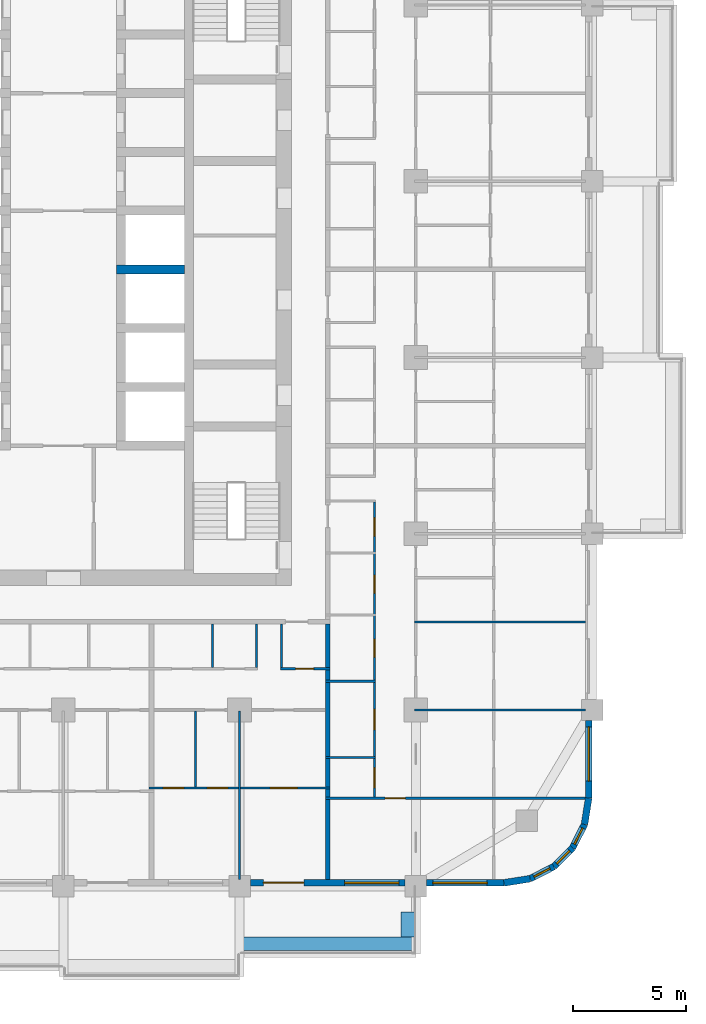
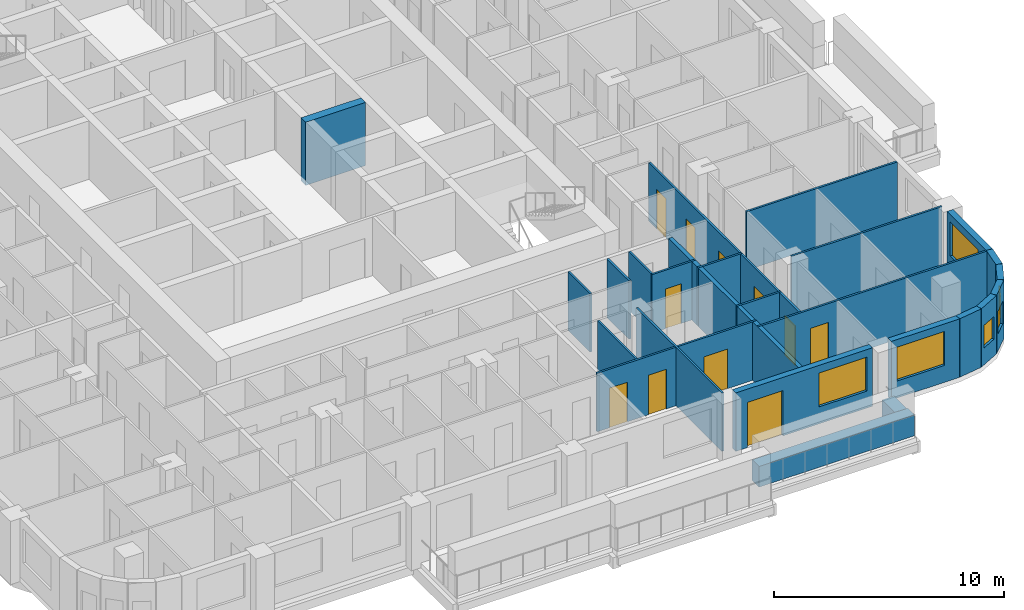
# One storey, part 7 of 17: 25 walls, 11 doors, 6 windows, 17 openings.
"""IFC4 building model written with IfcOpenShell, lengths in metres."""

import ifcopenshell
import ifcopenshell.guid

model = None  # the IFC model being written
_history = None  # IfcOwnerHistory: only IFC2X3 demands one
_inside = {}  # id of a spatial element -> (the spatial element, [elements in it])
_under = {}  # id of a project, library or spatial element -> (it, [spatial elements below it])
_declared = {}  # id of a project -> (the project, [libraries it declares])
_typed = {}  # id of a type object -> (the type object, [elements of that type])
_made_of = {}  # id of a material, layer set ... -> (it, [elements and type objects made of it])


def new_model(schema):
    """Start an empty IFC model of exactly this schema.

    Asked for "IFC4X3", IfcOpenShell would pick the latest addendum, in which some entities
    have other attributes; the version numbers below select the first issue.
    IFC2X3 requires an IfcOwnerHistory on every rooted entity: one is made here for all.
    """
    global model, _history
    if schema == "IFC4X3":
        model = ifcopenshell.file(schema_version=(4, 3, 0, 0))
    else:
        model = ifcopenshell.file(schema=schema)
    _inside.clear()
    _under.clear()
    _declared.clear()
    _typed.clear()
    _made_of.clear()
    _history = None
    if model.schema == "IFC2X3":
        org = make("IfcOrganization", Name="unknown")
        user = make(
            "IfcPersonAndOrganization",
            ThePerson=make("IfcPerson", FamilyName="unknown"),
            TheOrganization=org,
        )
        app = make(
            "IfcApplication",
            ApplicationDeveloper=org,
            Version="unknown",
            ApplicationFullName="unknown",
            ApplicationIdentifier="unknown",
        )
        _history = make(
            "IfcOwnerHistory",
            OwningUser=user,
            OwningApplication=app,
            ChangeAction="ADDED",
            CreationDate=0,
        )
    return model


def make(cls, **values):
    """One entity of the class cls with the attributes given. An attribute that is None is left unset."""
    return model.create_entity(
        cls, **{name: value for name, value in values.items() if value is not None}
    )


def rooted(cls, **values):
    """An entity with a GlobalId (a new one), such as an element, a storey or a relation."""
    return make(cls, GlobalId=ifcopenshell.guid.new(), OwnerHistory=_history, **values)


def si_unit(unit_type, name, prefix=None):
    """IfcSIUnit, for example si_unit("LENGTHUNIT", "METRE", prefix="MILLI")."""
    return make("IfcSIUnit", UnitType=unit_type, Prefix=prefix, Name=name)


def assignment(units):
    """IfcUnitAssignment: the units of a project."""
    return None if units is None else make("IfcUnitAssignment", Units=units)


def point(xyz):
    """IfcCartesianPoint."""
    return None if xyz is None else make("IfcCartesianPoint", Coordinates=xyz)


def direction(xyz):
    """IfcDirection."""
    return None if xyz is None else make("IfcDirection", DirectionRatios=xyz)


def frame(location, z_axis=None, x_axis=None):
    """IfcAxis2Placement3D, a coordinate frame: its origin and axes. An axis left out is left unset."""
    return make(
        "IfcAxis2Placement3D",
        Location=point(location),
        Axis=direction(z_axis),
        RefDirection=direction(x_axis),
    )


def frame_2d(location, x_axis=None):
    """IfcAxis2Placement2D, a coordinate frame in the plane: its origin and x axis."""
    return make(
        "IfcAxis2Placement2D", Location=point(location), RefDirection=direction(x_axis)
    )


def origin():
    """The frame at (0, 0, 0) with its axes left unset."""
    return frame((0.0, 0.0, 0.0))


def place(relative_to, where):
    """IfcLocalPlacement: puts the frame where relative to a parent placement (None: the world)."""
    return make(
        "IfcLocalPlacement", PlacementRelTo=relative_to, RelativePlacement=where
    )


def context(
    kind, dimensions, precision=None, world=None, true_north=None, identifier=None
):
    """IfcGeometricRepresentationContext, for example the 3D "Model" context."""
    return make(
        "IfcGeometricRepresentationContext",
        ContextIdentifier=identifier,
        ContextType=kind,
        CoordinateSpaceDimension=dimensions,
        Precision=precision,
        WorldCoordinateSystem=world,
        TrueNorth=true_north,
    )


def subcontext(parent, identifier, kind, view, scale=None):
    """IfcGeometricRepresentationSubContext, for example "Body" below "Model"."""
    return make(
        "IfcGeometricRepresentationSubContext",
        ContextIdentifier=identifier,
        ContextType=kind,
        ParentContext=parent,
        TargetScale=scale,
        TargetView=view,
    )


def project(units=None, contexts=None):
    """IfcProject with its units and contexts."""
    return rooted(
        "IfcProject",
        Name="project",
        RepresentationContexts=contexts,
        UnitsInContext=assignment(units),
    )


def spatial(cls, under=None, at=None, **own):
    """A site, building, storey or space (cls), placed at a placement, below another one or the project."""
    s = rooted(cls, ObjectPlacement=at, **own)
    if under is not None:
        _under.setdefault(under.id(), (under, []))[1].append(s)
    return s


def profile(cls, at=None, kind="AREA", **sizes):
    """A parametric profile (cls). Its sizes go by their IFC names, for example OverallWidth=200.0."""
    return make(cls, ProfileType=kind, Position=at, **sizes)


def rectangle(**sizes):
    """IfcRectangleProfileDef."""
    return profile("IfcRectangleProfileDef", **sizes)


def extrude(swept, where, along, depth):
    """IfcExtrudedAreaSolid: the profile swept, set in the frame where, extruded along a direction by depth."""
    return make(
        "IfcExtrudedAreaSolid",
        SweptArea=swept,
        Position=where,
        ExtrudedDirection=direction(along),
        Depth=depth,
    )


def shape(context_of_items, identifier, shape_type, items):
    """IfcShapeRepresentation: the items that make up one representation, for example the "Body"."""
    return make(
        "IfcShapeRepresentation",
        ContextOfItems=context_of_items,
        RepresentationIdentifier=identifier,
        RepresentationType=shape_type,
        Items=items,
    )


def material(Name=None, Category=None):
    """IfcMaterial."""
    return make("IfcMaterial", Name=Name, Category=Category)


def layer(
    of_material, thickness, ventilated=None, Name=None, Category=None, Priority=None
):
    """IfcMaterialLayer: one layer of a wall or slab, of a material (None: an air gap)."""
    return make(
        "IfcMaterialLayer",
        Material=of_material,
        LayerThickness=thickness,
        IsVentilated=ventilated,
        Name=Name,
        Category=Category,
        Priority=Priority,
    )


def layer_set(layers, Name=None):
    """IfcMaterialLayerSet."""
    return make("IfcMaterialLayerSet", MaterialLayers=layers, LayerSetName=Name)


def made_of(thing, what):
    """Note that an element or type object is made of a material, layer set ...; save() writes the relation."""
    if what is not None:
        _made_of.setdefault(what.id(), (what, []))[1].append(thing)
    return thing


def type_object(cls, material=None, **own):
    """A type object (cls), such as IfcWallType, which elements share."""
    return made_of(rooted(cls, **own), material)


def element(
    cls,
    number,
    at=None,
    inside=None,
    cuts=None,
    type_object=None,
    material=None,
    context=None,
    identifier="Body",
    shape_type=None,
    held_by="IfcProductDefinitionShape",
    body=None,
    shapes=None,
    **own,
):
    """One element of the class cls, such as IfcWall. Its Tag is "e" and its number.

    at: its placement. inside: the storey or other place that contains it. cuts: it is an
    opening in that element (IfcRelVoidsElement). A single representation is given by context,
    identifier, shape_type and body (its items); several are given by shapes. held_by: the class
    of the entity that holds the representations. save() writes the other relations.
    """
    e = rooted(cls, Tag="e%d" % number, ObjectPlacement=at, **own)
    if body is not None:
        shapes = [shape(context, identifier, shape_type, body)]
    if shapes is not None:
        e.Representation = make(held_by, Representations=shapes)
    if inside is not None:
        _inside.setdefault(inside.id(), (inside, []))[1].append(e)
    if cuts is not None:
        rooted(
            "IfcRelVoidsElement", RelatingBuildingElement=cuts, RelatedOpeningElement=e
        )
    if type_object is not None:
        _typed.setdefault(type_object.id(), (type_object, []))[1].append(e)
    return made_of(e, material)


def fill(opening, filler):
    """IfcRelFillsElement: the door or window that sits in an opening."""
    return rooted(
        "IfcRelFillsElement",
        RelatingOpeningElement=opening,
        RelatedBuildingElement=filler,
    )


def aggregate(whole, parts):
    """IfcRelAggregates: a whole, such as a stair, and the parts it consists of."""
    return rooted("IfcRelAggregates", RelatingObject=whole, RelatedObjects=parts)


def save(model, path):
    """Write the relations noted so far, then the file.

    IfcRelAggregates (storeys below a building ...), IfcRelContainedInSpatialStructure (elements
    in a storey), IfcRelDefinesByType, IfcRelAssociatesMaterial and IfcRelDeclares: one each for
    every whole, place, type object, material and project.
    """
    for whole, parts in _under.values():
        aggregate(whole, parts)
    for where, things in _inside.values():
        rooted(
            "IfcRelContainedInSpatialStructure",
            RelatedElements=things,
            RelatingStructure=where,
        )
    for kind, things in _typed.values():
        rooted("IfcRelDefinesByType", RelatedObjects=things, RelatingType=kind)
    for what, things in _made_of.values():
        rooted("IfcRelAssociatesMaterial", RelatedObjects=things, RelatingMaterial=what)
    for by, libraries in _declared.values():
        rooted("IfcRelDeclares", RelatingContext=by, RelatedDefinitions=libraries)
    model.write(path)


model = new_model("IFC4")

# Units and contexts
model_context = context("Model", 3, precision=1e-05, world=origin(), true_north=direction((0.0, 1.0)))
body_context = subcontext(model_context, "Body", "Model", "MODEL_VIEW")
ifc_project = project(units=[si_unit("LENGTHUNIT", "METRE"), si_unit("AREAUNIT", "SQUARE_METRE"), si_unit("VOLUMEUNIT", "CUBIC_METRE"), si_unit("PLANEANGLEUNIT", "RADIAN"), si_unit("MASSUNIT", "GRAM", prefix="KILO")], contexts=[model_context])

# Site, building, storey
site_placement = place(None, origin())
site = spatial("IfcSite", under=ifc_project, at=site_placement, CompositionType="ELEMENT")
building_placement = place(site_placement, origin())
building = spatial("IfcBuilding", under=site, at=building_placement, Name="Ludao Terraces", CompositionType="ELEMENT")
storey_placement = place(building_placement, frame((0.0, 0.0, 92.0)))
storey = spatial("IfcBuildingStorey", under=building, at=storey_placement, Name="L25", CompositionType="ELEMENT", Elevation=92.0)

# Walls
ifc_material_1 = material(Name="Concrete C40", Category="concrete")
ifc_layer_1 = layer(ifc_material_1, 0.60009765625)
ifc_layer_set_1 = layer_set([ifc_layer_1], Name="ENV Planter trough 600")
wall_type_1 = type_object("IfcWallType", Name="ENV Planter trough 600", PredefinedType="USERDEFINED", material=ifc_layer_set_1)
wall_1_placement = place(storey_placement, frame((92.800048828125, 39.050048828125, 0.0), z_axis=(0.0, 0.0, 1.0), x_axis=(1.0, 0.0, 0.0)))
element("IfcWall", 1, at=wall_1_placement, inside=storey, type_object=wall_type_1, Name="PL-L25-S4", ObjectType="PLANTER", PredefinedType="USERDEFINED", context=body_context, shape_type="SweptSolid", body=[
    extrude(rectangle(XDim=7.800048828125, YDim=0.60009765625, at=frame_2d((3.89990234375, 0.0))), origin(), (0.0, 0.0, 1.0), 1.10009765625),
])
wall_2_placement = place(storey_placement, frame((100.25, 39.35009765625, 0.0), z_axis=(0.0, 0.0, 1.0), x_axis=(0.0, 1.0, 0.0)))
element("IfcWall", 2, at=wall_2_placement, inside=storey, type_object=wall_type_1, Name="PL-L25-S4-SB", ObjectType="PLANTER", PredefinedType="USERDEFINED", context=body_context, shape_type="SweptSolid", body=[
    extrude(rectangle(XDim=1.099853515625, YDim=0.60009765625, at=frame_2d((0.5498046875, 0.0))), origin(), (0.0, 0.0, 1.0), 1.10009765625),
])

# Wall, openings, door, window
ifc_material_2 = material(Name="Granite cladding", Category="masonry")
ifc_layer_2 = layer(ifc_material_2, 0.0400390625, Category="stone")
ifc_material_3 = material(Name="Mineral wool")
ifc_layer_3 = layer(ifc_material_3, 0.06005859375)
ifc_layer_4 = layer(ifc_material_1, 0.199951171875, Category="concrete")
ifc_layer_set_2 = layer_set([ifc_layer_2, ifc_layer_3, ifc_layer_4], Name="ENV Stone-clad wall 300")
wall_type_2 = type_object("IfcWallType", Name="ENV Stone-clad wall 300", PredefinedType="SOLIDWALL", material=ifc_layer_set_2)
wall_3_placement = place(storey_placement, frame((93.27490234375, 41.75, 0.0), z_axis=(0.0, 0.0, 1.0), x_axis=(1.0, 0.0, 0.0)))
wall_3 = element("IfcWall", 3, at=wall_3_placement, inside=storey, type_object=wall_type_2, Name="EW-L25-S5", PredefinedType="SOLIDWALL", context=body_context, shape_type="SweptSolid", body=[
    extrude(rectangle(XDim=6.85009765625, YDim=0.300048828125, at=frame_2d((3.425048828125, 0.0))), origin(), (0.0, 0.0, 1.0), 3.10009765625),
])
opening_1_placement = place(wall_3_placement, frame((0.574951171875, 0.0, 0.0)))
opening_1 = element("IfcOpeningElement", 4, at=opening_1_placement, cuts=wall_3, Name="Opening BD", PredefinedType="OPENING", context=body_context, shape_type="SweptSolid", body=[
    extrude(rectangle(XDim=1.800048828125, YDim=2.39990234375, at=frame_2d((0.89990234375, 1.199951171875))), frame((0.0, 0.16015625, 0.0), z_axis=(0.0, -1.0, 0.0), x_axis=(1.0, 0.0, 0.0)), (0.0, 0.0, 1.0), 0.320068359375),
])
opening_2_placement = place(wall_3_placement, frame((4.175048828125, 0.0, 0.89990234375)))
opening_2 = element("IfcOpeningElement", 5, at=opening_2_placement, cuts=wall_3, Name="Opening W1", PredefinedType="OPENING", context=body_context, shape_type="SweptSolid", body=[
    extrude(rectangle(XDim=2.39990234375, YDim=1.800048828125, at=frame_2d((1.199951171875, 0.89990234375))), frame((0.0, 0.16015625, 0.0), z_axis=(0.0, -1.0, 0.0), x_axis=(1.0, 0.0, 0.0)), (0.0, 0.0, 1.0), 0.320068359375),
])
ifc_material_4 = material(Name="Aluminium glazed door", Category="aluminium")
ifc_layer_5 = layer(ifc_material_4, 0.06005859375)
ifc_layer_set_3 = layer_set([ifc_layer_5], Name="ENV Balcony door BD 1800x2400")
door_type_1 = type_object("IfcDoorType", Name="ENV Balcony door BD 1800x2400", OperationType="DOUBLE_DOOR_SINGLE_SWING", PredefinedType="DOOR", material=ifc_layer_set_3)
door_1_placement = place(opening_1_placement, origin())
door_1 = element("IfcDoor", 6, at=door_1_placement, inside=storey, type_object=door_type_1, Name="BD-L25-S5-1", OperationType="DOUBLE_DOOR_SINGLE_SWING", OverallHeight=2.39990234375, OverallWidth=1.800048828125, PredefinedType="DOOR", context=body_context, shape_type="SweptSolid", body=[
    extrude(rectangle(XDim=1.800048828125, YDim=2.39990234375, at=frame_2d((0.89990234375, 1.199951171875))), frame((0.0, 0.02490234375, 0.0), z_axis=(0.0, -1.0, 0.0), x_axis=(1.0, 0.0, 0.0)), (0.0, 0.0, 1.0), 0.050048828125),
])
fill(opening_1, door_1)
ifc_material_5 = material(Name="Clear glass in aluminium frame", Category="aluminium")
ifc_layer_6 = layer(ifc_material_5, 0.06005859375)
ifc_layer_set_4 = layer_set([ifc_layer_6], Name="ENV Window W1 2400x1800")
window_type_1 = type_object("IfcWindowType", Name="ENV Window W1 2400x1800", PartitioningType="DOUBLE_PANEL_VERTICAL", PredefinedType="WINDOW", material=ifc_layer_set_4)
window_1_placement = place(opening_2_placement, origin())
window_1 = element("IfcWindow", 7, at=window_1_placement, inside=storey, type_object=window_type_1, Name="W-L25-S5-2", OverallHeight=1.800048828125, OverallWidth=2.39990234375, PartitioningType="DOUBLE_PANEL_VERTICAL", PredefinedType="WINDOW", context=body_context, shape_type="SweptSolid", body=[
    extrude(rectangle(XDim=2.39990234375, YDim=1.800048828125, at=frame_2d((1.199951171875, 0.89990234375))), frame((0.0, 0.030029296875, 0.0), z_axis=(0.0, -1.0, 0.0), x_axis=(1.0, 0.0, 0.0)), (0.0, 0.0, 1.0), 0.06005859375),
])
fill(opening_2, window_1)

# Wall, opening, window
wall_4_placement = place(storey_placement, frame((101.074951171875, 41.75, 0.0), z_axis=(0.0, 0.0, 1.0), x_axis=(1.0, 0.0, 0.0)))
wall_4 = element("IfcWall", 8, at=wall_4_placement, inside=storey, type_object=wall_type_2, Name="EW-L25-S6", PredefinedType="SOLIDWALL", context=body_context, shape_type="SweptSolid", body=[
    extrude(rectangle(XDim=3.425048828125, YDim=0.300048828125, at=frame_2d((1.71240234375, 0.0))), origin(), (0.0, 0.0, 1.0), 3.10009765625),
])
opening_3_placement = place(wall_4_placement, frame((0.27490234375, 0.0, 0.89990234375)))
opening_3 = element("IfcOpeningElement", 9, at=opening_3_placement, cuts=wall_4, Name="Opening W1", PredefinedType="OPENING", context=body_context, shape_type="SweptSolid", body=[
    extrude(rectangle(XDim=2.39990234375, YDim=1.800048828125, at=frame_2d((1.199951171875, 0.89990234375))), frame((0.0, 0.16015625, 0.0), z_axis=(0.0, -1.0, 0.0), x_axis=(1.0, 0.0, 0.0)), (0.0, 0.0, 1.0), 0.320068359375),
])
window_2_placement = place(opening_3_placement, origin())
window_2 = element("IfcWindow", 10, at=window_2_placement, inside=storey, type_object=window_type_1, Name="W-L25-S6-1", OverallHeight=1.800048828125, OverallWidth=2.39990234375, PartitioningType="DOUBLE_PANEL_VERTICAL", PredefinedType="WINDOW", context=body_context, shape_type="SweptSolid", body=[
    extrude(rectangle(XDim=2.39990234375, YDim=1.800048828125, at=frame_2d((1.199951171875, 0.89990234375))), frame((0.0, 0.030029296875, 0.0), z_axis=(0.0, -1.0, 0.0), x_axis=(1.0, 0.0, 0.0)), (0.0, 0.0, 1.0), 0.06005859375),
])
fill(opening_3, window_2)

wall_5_placement = place(storey_placement, frame((108.25, 45.5, 0.0), z_axis=(0.0, 0.0, 1.0), x_axis=(0.0, 1.0, 0.0)))
wall_5 = element("IfcWall", 11, at=wall_5_placement, inside=storey, type_object=wall_type_2, Name="EW-L25-E1", PredefinedType="SOLIDWALL", context=body_context, shape_type="SweptSolid", body=[
    extrude(rectangle(XDim=3.425048828125, YDim=0.300048828125, at=frame_2d((1.71240234375, 0.0))), origin(), (0.0, 0.0, 1.0), 3.10009765625),
])
opening_4_placement = place(wall_5_placement, frame((0.75, 0.0, 0.89990234375)))
opening_4 = element("IfcOpeningElement", 12, at=opening_4_placement, cuts=wall_5, Name="Opening W1", PredefinedType="OPENING", context=body_context, shape_type="SweptSolid", body=[
    extrude(rectangle(XDim=2.39990234375, YDim=1.800048828125, at=frame_2d((1.199951171875, 0.89990234375))), frame((0.0, 0.16015625, 0.0), z_axis=(0.0, -1.0, 0.0), x_axis=(1.0, 0.0, 0.0)), (0.0, 0.0, 1.0), 0.320068359375),
])
window_3_placement = place(opening_4_placement, origin())
window_3 = element("IfcWindow", 13, at=window_3_placement, inside=storey, type_object=window_type_1, Name="W-L25-E1-1", OverallHeight=1.800048828125, OverallWidth=2.39990234375, PartitioningType="DOUBLE_PANEL_VERTICAL", PredefinedType="WINDOW", context=body_context, shape_type="SweptSolid", body=[
    extrude(rectangle(XDim=2.39990234375, YDim=1.800048828125, at=frame_2d((1.199951171875, 0.89990234375))), frame((0.0, 0.030029296875, 0.0), z_axis=(0.0, -1.0, 0.0), x_axis=(1.0, 0.0, 0.0)), (0.0, 0.0, 1.0), 0.06005859375),
])
fill(opening_4, window_3)

# Wall
wall_6_placement = place(storey_placement, frame((104.5, 41.75, 0.0), z_axis=(0.0, 0.0, 1.0), x_axis=(0.987678452879, 0.156496880861, 0.0)))
element("IfcWall", 14, at=wall_6_placement, inside=storey, type_object=wall_type_2, Name="EW-L25-SE1", PredefinedType="SOLIDWALL", context=body_context, shape_type="SweptSolid", body=[
    extrude(rectangle(XDim=1.173095703125, YDim=0.300048828125, at=frame_2d((0.58642578125, 0.0))), origin(), (0.0, 0.0, 1.0), 3.10009765625),
])

# Wall, opening, window
wall_7_placement = place(storey_placement, frame((105.65869140625, 41.93359375, 0.0), z_axis=(0.0, 0.0, 1.0), x_axis=(0.890988677504, 0.454025524128, 0.0)))
wall_7 = element("IfcWall", 15, at=wall_7_placement, inside=storey, type_object=wall_type_2, Name="EW-L25-SE2", PredefinedType="SOLIDWALL", context=body_context, shape_type="SweptSolid", body=[
    extrude(rectangle(XDim=1.17333984375, YDim=0.300048828125, at=frame_2d((0.586669921875, 0.0))), origin(), (0.0, 0.0, 1.0), 3.10009765625),
])
opening_5_placement = place(wall_7_placement, frame((0.1865234375, 0.0, 0.89990234375)))
opening_5 = element("IfcOpeningElement", 16, at=opening_5_placement, cuts=wall_7, Name="Opening W3", PredefinedType="OPENING", context=body_context, shape_type="SweptSolid", body=[
    extrude(rectangle(XDim=0.800048828125, YDim=1.199951171875, at=frame_2d((0.39990234375, 0.60009765625))), frame((0.0, 0.16015625, 0.0), z_axis=(0.0, -1.0, 0.0), x_axis=(1.0, 0.0, 0.0)), (0.0, 0.0, 1.0), 0.320068359375),
])
ifc_layer_7 = layer(ifc_material_5, 0.06005859375)
ifc_layer_set_5 = layer_set([ifc_layer_7], Name="ENV Window W3 800x1200")
window_type_2 = type_object("IfcWindowType", Name="ENV Window W3 800x1200", PartitioningType="SINGLE_PANEL", PredefinedType="WINDOW", material=ifc_layer_set_5)
window_4_placement = place(opening_5_placement, origin())
window_4 = element("IfcWindow", 17, at=window_4_placement, inside=storey, type_object=window_type_2, Name="W-L25-SE2", OverallHeight=1.199951171875, OverallWidth=0.800048828125, PartitioningType="SINGLE_PANEL", PredefinedType="WINDOW", context=body_context, shape_type="SweptSolid", body=[
    extrude(rectangle(XDim=0.800048828125, YDim=1.199951171875, at=frame_2d((0.39990234375, 0.60009765625))), frame((0.0, 0.030029296875, 0.0), z_axis=(0.0, -1.0, 0.0), x_axis=(1.0, 0.0, 0.0)), (0.0, 0.0, 1.0), 0.06005859375),
])
fill(opening_5, window_4)

wall_8_placement = place(storey_placement, frame((106.7041015625, 42.46630859375, 0.0), z_axis=(0.0, 0.0, 1.0), x_axis=(0.707106781187, 0.707106781187, 0.0)))
wall_8 = element("IfcWall", 18, at=wall_8_placement, inside=storey, type_object=wall_type_2, Name="EW-L25-SE3", PredefinedType="SOLIDWALL", context=body_context, shape_type="SweptSolid", body=[
    extrude(rectangle(XDim=1.173095703125, YDim=0.300048828125, at=frame_2d((0.58642578125, 0.0))), origin(), (0.0, 0.0, 1.0), 3.10009765625),
])
opening_6_placement = place(wall_8_placement, frame((0.1865234375, 0.0, 0.89990234375)))
opening_6 = element("IfcOpeningElement", 19, at=opening_6_placement, cuts=wall_8, Name="Opening W3", PredefinedType="OPENING", context=body_context, shape_type="SweptSolid", body=[
    extrude(rectangle(XDim=0.800048828125, YDim=1.199951171875, at=frame_2d((0.39990234375, 0.60009765625))), frame((0.0, 0.16015625, 0.0), z_axis=(0.0, -1.0, 0.0), x_axis=(1.0, 0.0, 0.0)), (0.0, 0.0, 1.0), 0.320068359375),
])
window_5_placement = place(opening_6_placement, origin())
window_5 = element("IfcWindow", 20, at=window_5_placement, inside=storey, type_object=window_type_2, Name="W-L25-SE3", OverallHeight=1.199951171875, OverallWidth=0.800048828125, PartitioningType="SINGLE_PANEL", PredefinedType="WINDOW", context=body_context, shape_type="SweptSolid", body=[
    extrude(rectangle(XDim=0.800048828125, YDim=1.199951171875, at=frame_2d((0.39990234375, 0.60009765625))), frame((0.0, 0.030029296875, 0.0), z_axis=(0.0, -1.0, 0.0), x_axis=(1.0, 0.0, 0.0)), (0.0, 0.0, 1.0), 0.06005859375),
])
fill(opening_6, window_5)

wall_9_placement = place(storey_placement, frame((107.53369140625, 43.2958984375, 0.0), z_axis=(0.0, 0.0, 1.0), x_axis=(0.454025524128, 0.890988677504, 0.0)))
wall_9 = element("IfcWall", 21, at=wall_9_placement, inside=storey, type_object=wall_type_2, Name="EW-L25-SE4", PredefinedType="SOLIDWALL", context=body_context, shape_type="SweptSolid", body=[
    extrude(rectangle(XDim=1.17333984375, YDim=0.300048828125, at=frame_2d((0.586669921875, 0.0))), origin(), (0.0, 0.0, 1.0), 3.10009765625),
])
opening_7_placement = place(wall_9_placement, frame((0.1865234375, 0.0, 0.89990234375)))
opening_7 = element("IfcOpeningElement", 22, at=opening_7_placement, cuts=wall_9, Name="Opening W3", PredefinedType="OPENING", context=body_context, shape_type="SweptSolid", body=[
    extrude(rectangle(XDim=0.800048828125, YDim=1.199951171875, at=frame_2d((0.39990234375, 0.60009765625))), frame((0.0, 0.16015625, 0.0), z_axis=(0.0, -1.0, 0.0), x_axis=(1.0, 0.0, 0.0)), (0.0, 0.0, 1.0), 0.320068359375),
])
window_6_placement = place(opening_7_placement, origin())
window_6 = element("IfcWindow", 23, at=window_6_placement, inside=storey, type_object=window_type_2, Name="W-L25-SE4", OverallHeight=1.199951171875, OverallWidth=0.800048828125, PartitioningType="SINGLE_PANEL", PredefinedType="WINDOW", context=body_context, shape_type="SweptSolid", body=[
    extrude(rectangle(XDim=0.800048828125, YDim=1.199951171875, at=frame_2d((0.39990234375, 0.60009765625))), frame((0.0, 0.030029296875, 0.0), z_axis=(0.0, -1.0, 0.0), x_axis=(1.0, 0.0, 0.0)), (0.0, 0.0, 1.0), 0.06005859375),
])
fill(opening_7, window_6)

# Wall
wall_10_placement = place(storey_placement, frame((108.06640625, 44.34130859375, 0.0), z_axis=(0.0, 0.0, 1.0), x_axis=(0.156496880861, 0.987678452879, 0.0)))
element("IfcWall", 24, at=wall_10_placement, inside=storey, type_object=wall_type_2, Name="EW-L25-SE5", PredefinedType="SOLIDWALL", context=body_context, shape_type="SweptSolid", body=[
    extrude(rectangle(XDim=1.173095703125, YDim=0.300048828125, at=frame_2d((0.58642578125, 0.0))), origin(), (0.0, 0.0, 1.0), 3.10009765625),
])

# Wall, opening, door
ifc_material_6 = material(Name="Gypsum plasterboard", Category="gypsum")
ifc_layer_8 = layer(ifc_material_6, 0.012451171875, Category="gypsum")
ifc_layer_9 = layer(ifc_material_3, 0.06005859375, Name="insulation")
ifc_material_7 = material(Name="Steel Q235", Category="steel")
ifc_layer_10 = layer(ifc_material_7, 0.014892578125, Name="stud")
ifc_layer_11 = layer(ifc_material_6, 0.012451171875, Category="gypsum")
ifc_layer_set_6 = layer_set([ifc_layer_8, ifc_layer_9, ifc_layer_10, ifc_layer_11], Name="INT Partition 100")
wall_type_3 = type_object("IfcWallType", Name="INT Partition 100", PredefinedType="PARTITIONING", material=ifc_layer_set_6)
wall_11_placement = place(storey_placement, frame((96.60009765625, 45.5, 0.0), z_axis=(0.0, 0.0, 1.0), x_axis=(1.0, 0.0, 0.0)))
wall_11 = element("IfcWall", 25, at=wall_11_placement, inside=storey, type_object=wall_type_3, Name="PW-L25-PW001", PredefinedType="PARTITIONING", context=body_context, shape_type="SweptSolid", body=[
    extrude(rectangle(XDim=11.5, YDim=0.10009765625, at=frame_2d((5.75, 0.0))), origin(), (0.0, 0.0, 1.0), 3.10009765625),
])
opening_8_placement = place(wall_11_placement, frame((2.635009765625, 0.0, 0.0)))
opening_8 = element("IfcOpeningElement", 26, at=opening_8_placement, cuts=wall_11, Name="Opening R07-006", PredefinedType="OPENING", context=body_context, shape_type="SweptSolid", body=[
    extrude(rectangle(XDim=0.89990234375, YDim=2.10009765625, at=frame_2d((0.449951171875, 1.050048828125))), frame((0.0, 0.06005859375, 0.0), z_axis=(0.0, -1.0, 0.0), x_axis=(1.0, 0.0, 0.0)), (0.0, 0.0, 1.0), 0.1201171875),
])
ifc_material_8 = material(Name="Timber door leaf", Category="wood")
door_type_2 = type_object("IfcDoorType", Name="INT Room door 900", OperationType="SINGLE_SWING_LEFT", PredefinedType="DOOR", material=ifc_material_8)
door_2_placement = place(opening_8_placement, origin())
door_2 = element("IfcDoor", 27, at=door_2_placement, inside=storey, type_object=door_type_2, Name="DOOR 006", OperationType="SINGLE_SWING_LEFT", OverallHeight=2.10009765625, OverallWidth=0.89990234375, PredefinedType="DOOR", context=body_context, shape_type="SweptSolid", body=[
    extrude(rectangle(XDim=0.89990234375, YDim=2.10009765625, at=frame_2d((0.449951171875, 1.050048828125))), frame((0.0, 0.02490234375, 0.0), z_axis=(0.0, -1.0, 0.0), x_axis=(1.0, 0.0, 0.0)), (0.0, 0.0, 1.0), 0.050048828125),
])
fill(opening_8, door_2)

# Wall, openings, doors
wall_12_placement = place(storey_placement, frame((88.800048828125, 45.949951171875, 0.0), z_axis=(0.0, 0.0, 1.0), x_axis=(1.0, 0.0, 0.0)))
wall_12 = element("IfcWall", 28, at=wall_12_placement, inside=storey, type_object=wall_type_3, Name="PW-L25-PW003", PredefinedType="PARTITIONING", context=body_context, shape_type="SweptSolid", body=[
    extrude(rectangle(XDim=8.0, YDim=0.10009765625, at=frame_2d((4.0, 0.0))), origin(), (0.0, 0.0, 1.0), 3.10009765625),
])
opening_9_placement = place(wall_12_placement, frame((0.625, 0.0, 0.0)))
opening_9 = element("IfcOpeningElement", 29, at=opening_9_placement, cuts=wall_12, Name="Opening R07-014", PredefinedType="OPENING", context=body_context, shape_type="SweptSolid", body=[
    extrude(rectangle(XDim=0.89990234375, YDim=2.10009765625, at=frame_2d((0.449951171875, 1.050048828125))), frame((0.0, 0.06005859375, 0.0), z_axis=(0.0, -1.0, 0.0), x_axis=(1.0, 0.0, 0.0)), (0.0, 0.0, 1.0), 0.1201171875),
])
opening_10_placement = place(wall_12_placement, frame((2.574951171875, 0.0, 0.0)))
opening_10 = element("IfcOpeningElement", 30, at=opening_10_placement, cuts=wall_12, Name="Opening R07-015", PredefinedType="OPENING", context=body_context, shape_type="SweptSolid", body=[
    extrude(rectangle(XDim=0.89990234375, YDim=2.10009765625, at=frame_2d((0.449951171875, 1.050048828125))), frame((0.0, 0.06005859375, 0.0), z_axis=(0.0, -1.0, 0.0), x_axis=(1.0, 0.0, 0.0)), (0.0, 0.0, 1.0), 0.1201171875),
])
opening_11_placement = place(wall_12_placement, frame((5.35009765625, 0.0, 0.0)))
opening_11 = element("IfcOpeningElement", 31, at=opening_11_placement, cuts=wall_12, Name="Opening R07-016", PredefinedType="OPENING", context=body_context, shape_type="SweptSolid", body=[
    extrude(rectangle(XDim=1.199951171875, YDim=2.10009765625, at=frame_2d((0.60009765625, 1.050048828125))), frame((0.0, 0.06005859375, 0.0), z_axis=(0.0, -1.0, 0.0), x_axis=(1.0, 0.0, 0.0)), (0.0, 0.0, 1.0), 0.1201171875),
])
door_type_3 = type_object("IfcDoorType", Name="INT Bathroom door 900", OperationType="SINGLE_SWING_LEFT", PredefinedType="DOOR", material=ifc_material_8)
door_3_placement = place(opening_9_placement, origin())
door_3 = element("IfcDoor", 32, at=door_3_placement, inside=storey, type_object=door_type_3, Name="DOOR 014", OperationType="SINGLE_SWING_LEFT", OverallHeight=2.10009765625, OverallWidth=0.89990234375, PredefinedType="DOOR", context=body_context, shape_type="SweptSolid", body=[
    extrude(rectangle(XDim=0.89990234375, YDim=2.10009765625, at=frame_2d((0.449951171875, 1.050048828125))), frame((0.0, 0.02490234375, 0.0), z_axis=(0.0, -1.0, 0.0), x_axis=(1.0, 0.0, 0.0)), (0.0, 0.0, 1.0), 0.050048828125),
])
fill(opening_9, door_3)
door_type_4 = type_object("IfcDoorType", Name="INT Double door 1200", OperationType="DOUBLE_DOOR_SINGLE_SWING", PredefinedType="DOOR", material=ifc_material_8)
door_4_placement = place(opening_11_placement, origin())
door_4 = element("IfcDoor", 33, at=door_4_placement, inside=storey, type_object=door_type_4, Name="DOOR 016", OperationType="DOUBLE_DOOR_SINGLE_SWING", OverallHeight=2.10009765625, OverallWidth=1.199951171875, PredefinedType="DOOR", context=body_context, shape_type="SweptSolid", body=[
    extrude(rectangle(XDim=1.199951171875, YDim=2.10009765625, at=frame_2d((0.60009765625, 1.050048828125))), frame((0.0, 0.02490234375, 0.0), z_axis=(0.0, -1.0, 0.0), x_axis=(1.0, 0.0, 0.0)), (0.0, 0.0, 1.0), 0.050048828125),
])
fill(opening_11, door_4)
door_5_placement = place(opening_10_placement, origin())
door_5 = element("IfcDoor", 34, at=door_5_placement, inside=storey, type_object=door_type_2, Name="DOOR 015", OperationType="SINGLE_SWING_RIGHT", OverallHeight=2.10009765625, OverallWidth=0.89990234375, PredefinedType="DOOR", context=body_context, shape_type="SweptSolid", body=[
    extrude(rectangle(XDim=0.89990234375, YDim=2.10009765625, at=frame_2d((0.449951171875, 1.050048828125))), frame((0.0, 0.02490234375, 0.0), z_axis=(0.0, -1.0, 0.0), x_axis=(1.0, 0.0, 0.0)), (0.0, 0.0, 1.0), 0.050048828125),
])
fill(opening_10, door_5)

# Walls
wall_13_placement = place(storey_placement, frame((96.60009765625, 47.300048828125, 0.0), z_axis=(0.0, 0.0, 1.0), x_axis=(1.0, 0.0, 0.0)))
element("IfcWall", 35, at=wall_13_placement, inside=storey, type_object=wall_type_3, Name="PW-L25-PW004", PredefinedType="PARTITIONING", context=body_context, shape_type="SweptSolid", body=[
    extrude(rectangle(XDim=2.219970703125, YDim=0.10009765625, at=frame_2d((1.10986328125, 0.0))), origin(), (0.0, 0.0, 1.0), 3.10009765625),
])
wall_14_placement = place(storey_placement, frame((100.550048828125, 49.39990234375, 0.0), z_axis=(0.0, 0.0, 1.0), x_axis=(1.0, 0.0, 0.0)))
element("IfcWall", 36, at=wall_14_placement, inside=storey, type_object=wall_type_3, Name="PW-L25-PW009", PredefinedType="PARTITIONING", context=body_context, shape_type="SweptSolid", body=[
    extrude(rectangle(XDim=7.550048828125, YDim=0.10009765625, at=frame_2d((3.77490234375, 0.0))), origin(), (0.0, 0.0, 1.0), 3.10009765625),
])
wall_15_placement = place(storey_placement, frame((96.60009765625, 50.669921875, 0.0), z_axis=(0.0, 0.0, 1.0), x_axis=(1.0, 0.0, 0.0)))
element("IfcWall", 37, at=wall_15_placement, inside=storey, type_object=wall_type_3, Name="PW-L25-PW011", PredefinedType="PARTITIONING", context=body_context, shape_type="SweptSolid", body=[
    extrude(rectangle(XDim=2.219970703125, YDim=0.10009765625, at=frame_2d((1.10986328125, 0.0))), origin(), (0.0, 0.0, 1.0), 3.10009765625),
])

# Wall, opening, door
wall_16_placement = place(storey_placement, frame((94.60009765625, 51.22998046875, 0.0), z_axis=(0.0, 0.0, 1.0), x_axis=(1.0, 0.0, 0.0)))
wall_16 = element("IfcWall", 38, at=wall_16_placement, inside=storey, type_object=wall_type_3, Name="PW-L25-PW014", PredefinedType="PARTITIONING", context=body_context, shape_type="SweptSolid", body=[
    extrude(rectangle(XDim=2.199951171875, YDim=0.10009765625, at=frame_2d((1.10009765625, 0.0))), origin(), (0.0, 0.0, 1.0), 3.10009765625),
])
opening_12_placement = place(wall_16_placement, frame((0.675048828125, 0.0, 0.0)))
opening_12 = element("IfcOpeningElement", 39, at=opening_12_placement, cuts=wall_16, Name="Opening R07-040", PredefinedType="OPENING", context=body_context, shape_type="SweptSolid", body=[
    extrude(rectangle(XDim=0.800048828125, YDim=2.10009765625, at=frame_2d((0.39990234375, 1.050048828125))), frame((0.0, 0.06005859375, 0.0), z_axis=(0.0, -1.0, 0.0), x_axis=(1.0, 0.0, 0.0)), (0.0, 0.0, 1.0), 0.1201171875),
])
door_type_5 = type_object("IfcDoorType", Name="INT Store door 800", OperationType="SINGLE_SWING_LEFT", PredefinedType="DOOR", material=ifc_material_8)
door_6_placement = place(opening_12_placement, origin())
door_6 = element("IfcDoor", 40, at=door_6_placement, inside=storey, type_object=door_type_5, Name="DOOR 040", OperationType="SINGLE_SWING_LEFT", OverallHeight=2.10009765625, OverallWidth=0.800048828125, PredefinedType="DOOR", context=body_context, shape_type="SweptSolid", body=[
    extrude(rectangle(XDim=0.800048828125, YDim=2.10009765625, at=frame_2d((0.39990234375, 1.050048828125))), frame((0.0, 0.02490234375, 0.0), z_axis=(0.0, -1.0, 0.0), x_axis=(1.0, 0.0, 0.0)), (0.0, 0.0, 1.0), 0.050048828125),
])
fill(opening_12, door_6)

# Walls
wall_17_placement = place(storey_placement, frame((100.550048828125, 53.300048828125, 0.0), z_axis=(0.0, 0.0, 1.0), x_axis=(1.0, 0.0, 0.0)))
element("IfcWall", 41, at=wall_17_placement, inside=storey, type_object=wall_type_3, Name="PW-L25-PW018", PredefinedType="PARTITIONING", context=body_context, shape_type="SweptSolid", body=[
    extrude(rectangle(XDim=7.550048828125, YDim=0.10009765625, at=frame_2d((3.77490234375, 0.0))), origin(), (0.0, 0.0, 1.0), 3.10009765625),
])
wall_18_placement = place(storey_placement, frame((90.85009765625, 46.0, 0.0), z_axis=(0.0, 0.0, 1.0), x_axis=(0.0, 1.0, 0.0)))
element("IfcWall", 42, at=wall_18_placement, inside=storey, type_object=wall_type_3, Name="PW-L25-PW108", PredefinedType="PARTITIONING", context=body_context, shape_type="SweptSolid", body=[
    extrude(rectangle(XDim=3.35009765625, YDim=0.10009765625, at=frame_2d((1.675048828125, 0.0))), origin(), (0.0, 0.0, 1.0), 3.10009765625),
])
wall_19_placement = place(storey_placement, frame((91.60009765625, 51.280029296875, 0.0), z_axis=(0.0, 0.0, 1.0), x_axis=(0.0, 1.0, 0.0)))
element("IfcWall", 43, at=wall_19_placement, inside=storey, type_object=wall_type_3, Name="PW-L25-PW109", PredefinedType="PARTITIONING", context=body_context, shape_type="SweptSolid", body=[
    extrude(rectangle(XDim=1.920166015625, YDim=0.10009765625, at=frame_2d((0.9599609375, 0.0))), origin(), (0.0, 0.0, 1.0), 3.10009765625),
])
wall_20_placement = place(storey_placement, frame((92.800048828125, 41.900146484375, 0.0), z_axis=(0.0, 0.0, 1.0), x_axis=(0.0, 1.0, 0.0)))
element("IfcWall", 44, at=wall_20_placement, inside=storey, type_object=wall_type_3, Name="PW-L25-PW110", PredefinedType="PARTITIONING", context=body_context, shape_type="SweptSolid", body=[
    extrude(rectangle(XDim=7.449951171875, YDim=0.10009765625, at=frame_2d((3.72509765625, 0.0))), origin(), (0.0, 0.0, 1.0), 3.10009765625),
])
for number, where, z_axis, x_axis, name in (
    (45, (93.550048828125, 51.280029296875, 0.0), (0.0, 0.0, 1.0), (0.0, 1.0, 0.0), "PW-L25-PW112"),
    (46, (94.64990234375, 51.280029296875, 0.0), (0.0, 0.0, 1.0), (0.0, 1.0, 0.0), "PW-L25-PW113"),
):
    element("IfcWall", number, at=place(storey_placement, frame(where, z_axis=z_axis, x_axis=x_axis)), inside=storey, type_object=wall_type_3, Name=name, PredefinedType="PARTITIONING", context=body_context, shape_type="SweptSolid", body=[
        extrude(rectangle(XDim=1.920166015625, YDim=0.10009765625, at=frame_2d((0.9599609375, 0.0))), origin(), (0.0, 0.0, 1.0), 3.10009765625),
    ])

# Wall, openings, doors
wall_21_placement = place(storey_placement, frame((98.77001953125, 45.550048828125, 0.0), z_axis=(0.0, 0.0, 1.0), x_axis=(0.0, 1.0, 0.0)))
wall_21 = element("IfcWall", 47, at=wall_21_placement, inside=storey, type_object=wall_type_3, Name="PW-L25-PW117", PredefinedType="PARTITIONING", context=body_context, shape_type="SweptSolid", body=[
    extrude(rectangle(XDim=13.050048828125, YDim=0.10009765625, at=frame_2d((6.52490234375, 0.0))), origin(), (0.0, 0.0, 1.0), 3.10009765625),
])
opening_13_placement = place(wall_21_placement, frame((0.39990234375, 0.0, 0.0)))
opening_13 = element("IfcOpeningElement", 48, at=opening_13_placement, cuts=wall_21, Name="Opening R07-017", PredefinedType="OPENING", context=body_context, shape_type="SweptSolid", body=[
    extrude(rectangle(XDim=0.89990234375, YDim=2.10009765625, at=frame_2d((0.449951171875, 1.050048828125))), frame((0.0, 0.06005859375, 0.0), z_axis=(0.0, -1.0, 0.0), x_axis=(1.0, 0.0, 0.0)), (0.0, 0.0, 1.0), 0.1201171875),
])
opening_14_placement = place(wall_21_placement, frame((2.985107421875, 0.0, 0.0)))
opening_14 = element("IfcOpeningElement", 49, at=opening_14_placement, cuts=wall_21, Name="Opening R07-024", PredefinedType="OPENING", context=body_context, shape_type="SweptSolid", body=[
    extrude(rectangle(XDim=0.89990234375, YDim=2.10009765625, at=frame_2d((0.449951171875, 1.050048828125))), frame((0.0, 0.06005859375, 0.0), z_axis=(0.0, -1.0, 0.0), x_axis=(1.0, 0.0, 0.0)), (0.0, 0.0, 1.0), 0.1201171875),
])
opening_15_placement = place(wall_21_placement, frame((6.18505859375, 0.0, 0.0)))
opening_15 = element("IfcOpeningElement", 50, at=opening_15_placement, cuts=wall_21, Name="Opening R07-046", PredefinedType="OPENING", context=body_context, shape_type="SweptSolid", body=[
    extrude(rectangle(XDim=0.800048828125, YDim=2.10009765625, at=frame_2d((0.39990234375, 1.050048828125))), frame((0.0, 0.06005859375, 0.0), z_axis=(0.0, -1.0, 0.0), x_axis=(1.0, 0.0, 0.0)), (0.0, 0.0, 1.0), 0.1201171875),
])
opening_16_placement = place(wall_21_placement, frame((9.02490234375, 0.0, 0.0)))
opening_16 = element("IfcOpeningElement", 51, at=opening_16_placement, cuts=wall_21, Name="Opening R07-052", PredefinedType="OPENING", context=body_context, shape_type="SweptSolid", body=[
    extrude(rectangle(XDim=0.800048828125, YDim=2.10009765625, at=frame_2d((0.39990234375, 1.050048828125))), frame((0.0, 0.06005859375, 0.0), z_axis=(0.0, -1.0, 0.0), x_axis=(1.0, 0.0, 0.0)), (0.0, 0.0, 1.0), 0.1201171875),
])
opening_17_placement = place(wall_21_placement, frame((11.550048828125, 0.0, 0.0)))
opening_17 = element("IfcOpeningElement", 52, at=opening_17_placement, cuts=wall_21, Name="Opening R07-059", PredefinedType="OPENING", context=body_context, shape_type="SweptSolid", body=[
    extrude(rectangle(XDim=0.800048828125, YDim=2.10009765625, at=frame_2d((0.39990234375, 1.050048828125))), frame((0.0, 0.06005859375, 0.0), z_axis=(0.0, -1.0, 0.0), x_axis=(1.0, 0.0, 0.0)), (0.0, 0.0, 1.0), 0.1201171875),
])
door_7_placement = place(opening_13_placement, origin())
door_7 = element("IfcDoor", 53, at=door_7_placement, inside=storey, type_object=door_type_3, Name="DOOR 017", OperationType="SINGLE_SWING_LEFT", OverallHeight=2.10009765625, OverallWidth=0.89990234375, PredefinedType="DOOR", context=body_context, shape_type="SweptSolid", body=[
    extrude(rectangle(XDim=0.89990234375, YDim=2.10009765625, at=frame_2d((0.449951171875, 1.050048828125))), frame((0.0, 0.02490234375, 0.0), z_axis=(0.0, -1.0, 0.0), x_axis=(1.0, 0.0, 0.0)), (0.0, 0.0, 1.0), 0.050048828125),
])
fill(opening_13, door_7)
door_8_placement = place(opening_14_placement, origin())
door_8 = element("IfcDoor", 54, at=door_8_placement, inside=storey, type_object=door_type_2, Name="DOOR 024", OperationType="SINGLE_SWING_LEFT", OverallHeight=2.10009765625, OverallWidth=0.89990234375, PredefinedType="DOOR", context=body_context, shape_type="SweptSolid", body=[
    extrude(rectangle(XDim=0.89990234375, YDim=2.10009765625, at=frame_2d((0.449951171875, 1.050048828125))), frame((0.0, 0.02490234375, 0.0), z_axis=(0.0, -1.0, 0.0), x_axis=(1.0, 0.0, 0.0)), (0.0, 0.0, 1.0), 0.050048828125),
])
fill(opening_14, door_8)
door_9_placement = place(opening_15_placement, origin())
door_9 = element("IfcDoor", 55, at=door_9_placement, inside=storey, type_object=door_type_5, Name="DOOR 046", OperationType="SINGLE_SWING_LEFT", OverallHeight=2.10009765625, OverallWidth=0.800048828125, PredefinedType="DOOR", context=body_context, shape_type="SweptSolid", body=[
    extrude(rectangle(XDim=0.800048828125, YDim=2.10009765625, at=frame_2d((0.39990234375, 1.050048828125))), frame((0.0, 0.02490234375, 0.0), z_axis=(0.0, -1.0, 0.0), x_axis=(1.0, 0.0, 0.0)), (0.0, 0.0, 1.0), 0.050048828125),
])
fill(opening_15, door_9)
door_10_placement = place(opening_16_placement, origin())
door_10 = element("IfcDoor", 56, at=door_10_placement, inside=storey, type_object=door_type_5, Name="DOOR 052", OperationType="SINGLE_SWING_LEFT", OverallHeight=2.10009765625, OverallWidth=0.800048828125, PredefinedType="DOOR", context=body_context, shape_type="SweptSolid", body=[
    extrude(rectangle(XDim=0.800048828125, YDim=2.10009765625, at=frame_2d((0.39990234375, 1.050048828125))), frame((0.0, 0.02490234375, 0.0), z_axis=(0.0, -1.0, 0.0), x_axis=(1.0, 0.0, 0.0)), (0.0, 0.0, 1.0), 0.050048828125),
])
fill(opening_16, door_10)
door_11_placement = place(opening_17_placement, origin())
door_11 = element("IfcDoor", 57, at=door_11_placement, inside=storey, type_object=door_type_5, Name="DOOR 059", OperationType="SINGLE_SWING_LEFT", OverallHeight=2.10009765625, OverallWidth=0.800048828125, PredefinedType="DOOR", context=body_context, shape_type="SweptSolid", body=[
    extrude(rectangle(XDim=0.800048828125, YDim=2.10009765625, at=frame_2d((0.39990234375, 1.050048828125))), frame((0.0, 0.02490234375, 0.0), z_axis=(0.0, -1.0, 0.0), x_axis=(1.0, 0.0, 0.0)), (0.0, 0.0, 1.0), 0.050048828125),
])
fill(opening_17, door_11)

# Walls
ifc_material_9 = material(Name="Autoclaved aerated concrete block B06 A3.5", Category="concrete")
ifc_layer_12 = layer(ifc_material_9, 0.199951171875)
ifc_layer_set_7 = layer_set([ifc_layer_12], Name="INT Party wall 200")
wall_type_4 = type_object("IfcWallType", Name="INT Party wall 200", PredefinedType="PARTITIONING", material=ifc_layer_set_7)
wall_22_placement = place(storey_placement, frame((96.699951171875, 41.900146484375, 0.0), z_axis=(0.0, 0.0, 1.0), x_axis=(0.0, 1.0, 0.0)))
element("IfcWall", 58, at=wall_22_placement, inside=storey, type_object=wall_type_4, Name="PW-L25-PW114", PredefinedType="PARTITIONING", context=body_context, shape_type="SweptSolid", body=[
    extrude(rectangle(XDim=11.300048828125, YDim=0.199951171875, at=frame_2d((5.64990234375, 0.0))), origin(), (0.0, 0.0, 1.0), 3.10009765625),
])
ifc_material_10 = material(Name="Concrete C60", Category="concrete")
ifc_layer_13 = layer(ifc_material_10, 0.39990234375)
ifc_layer_set_8 = layer_set([ifc_layer_13], Name="Shaft wall 400 C60")
wall_type_5 = type_object("IfcWallType", Name="Shaft wall 400 C60", PredefinedType="SOLIDWALL", material=ifc_layer_set_8)
wall_23_placement = place(storey_placement, frame((87.35009765625, 68.89990234375, -0.25), z_axis=(0.0, 0.0, 1.0), x_axis=(1.0, 0.0, 0.0)))
element("IfcWall", 59, at=wall_23_placement, inside=storey, type_object=wall_type_5, Name="Core wall L25 div-E4", PredefinedType="SOLIDWALL", context=body_context, shape_type="SweptSolid", body=[
    extrude(rectangle(XDim=3.0, YDim=0.39990234375, at=frame_2d((1.5, 0.0))), origin(), (0.0, 0.0, 1.0), 3.35009765625),
])

save(model, "model.ifc")
